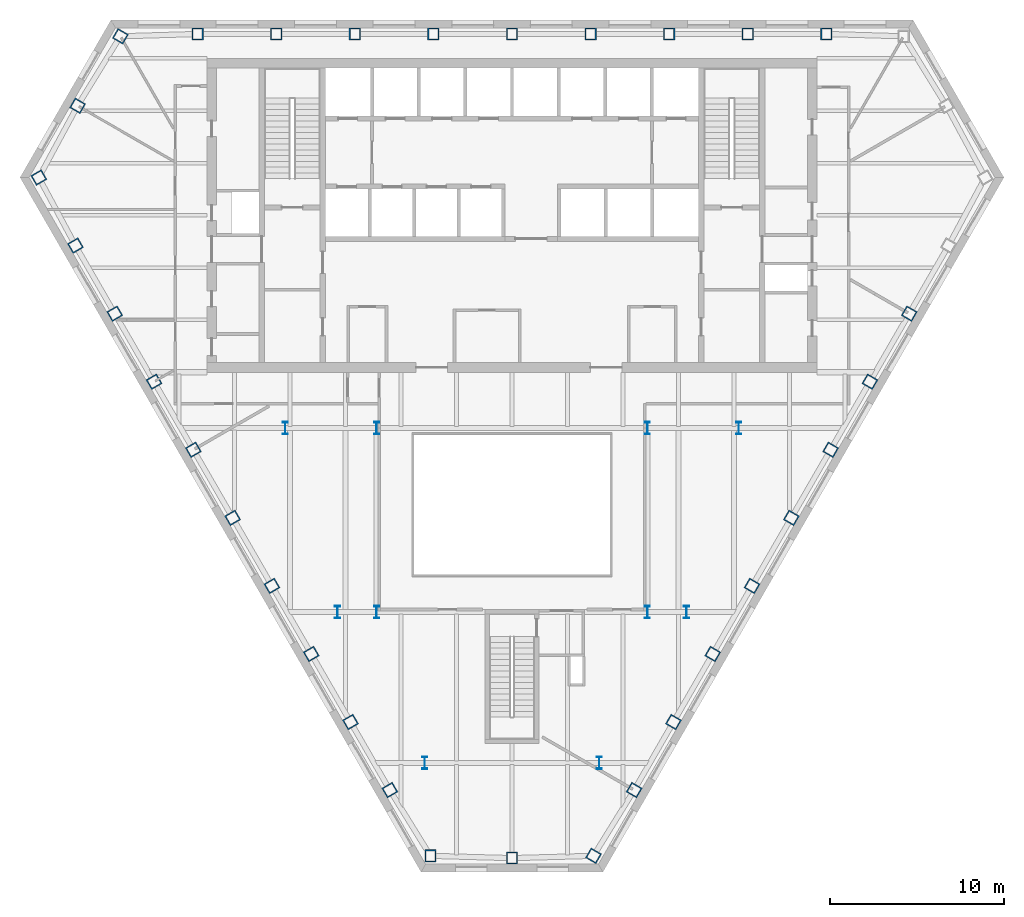
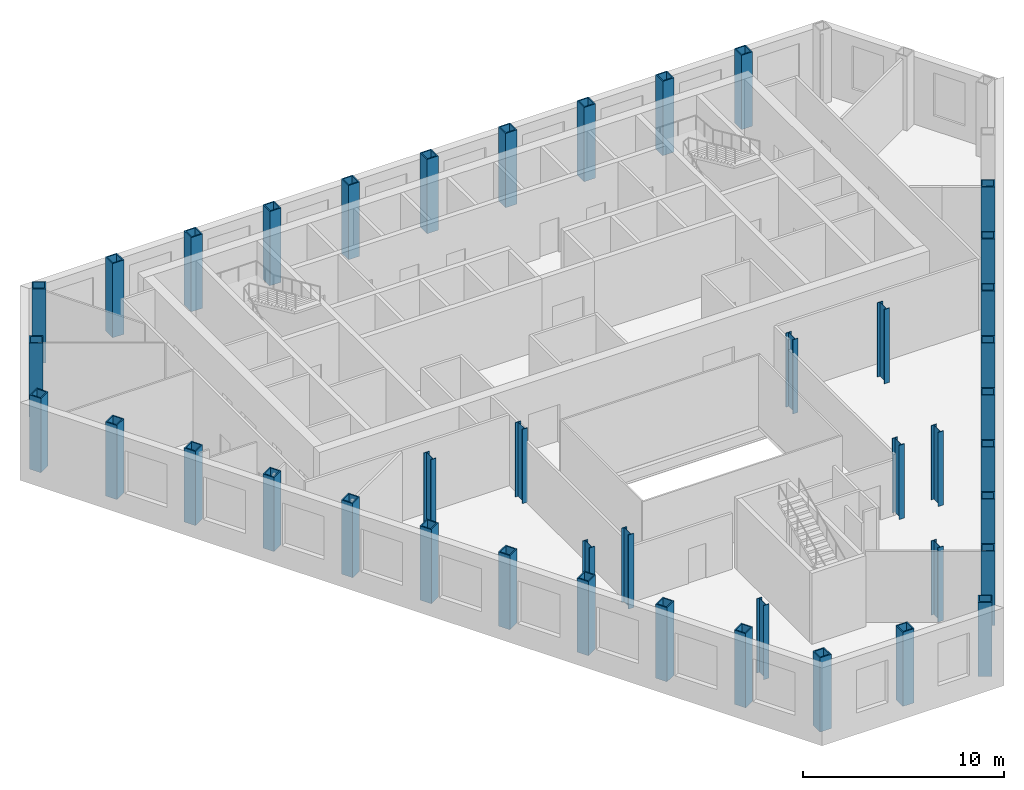
# One storey, part 1 of 11: 42 columns.
"""IFC4 building model written with IfcOpenShell, lengths in metres."""

from ifc_helpers import new_model, si_unit, direction, frame, origin, origin_2d, place, context, subcontext, project, spatial, hollow_rectangle, i_section, extrude, material, material_profile, profile_set, type_object, element, save


model = new_model("IFC4")

# Units and contexts
model_context = context("Model", 3, precision=1e-05, world=origin(), true_north=direction((0.0, 1.0)))
body_context = subcontext(model_context, "Body", "Model", "MODEL_VIEW")
ifc_project = project(units=[si_unit("LENGTHUNIT", "METRE"), si_unit("AREAUNIT", "SQUARE_METRE"), si_unit("VOLUMEUNIT", "CUBIC_METRE"), si_unit("PLANEANGLEUNIT", "RADIAN"), si_unit("MASSUNIT", "GRAM", prefix="KILO")], contexts=[model_context])

# Site, building, storey
site_placement = place(None, origin())
site = spatial("IfcSite", under=ifc_project, at=site_placement, CompositionType="ELEMENT")
building_placement = place(site_placement, origin())
building = spatial("IfcBuilding", under=site, at=building_placement, Name="Njiva Tower", CompositionType="ELEMENT")
storey_placement = place(building_placement, frame((0.0, 0.0, 93.3)))
storey = spatial("IfcBuildingStorey", under=building, at=storey_placement, Name="L19", CompositionType="ELEMENT", Elevation=93.3)

# Columns
ifc_material = material(Name="Steel S355 J2", Category="steel")
ifc_material_profile_1 = material_profile(ifc_material, hollow_rectangle(XDim=0.65, YDim=0.7, WallThickness=0.065, at=origin_2d()), Name="BOX 700x650x65")
ifc_profile_set_1 = profile_set([ifc_material_profile_1], Name="Steel S355 J2")
column_type_1 = type_object("IfcColumnType", Name="C7 Perimeter tube column BOX 700x650x65", PredefinedType="COLUMN", material=ifc_profile_set_1)
for number, where, z_axis, x_axis, name in (
    (1, (18.026, 19.4, 0.0), (0.0, 0.0, 1.0), (-1.0, 0.0, 0.0), "Perimeter tube column S06-C02"),
    (2, (13.52, 19.4, 0.0), (0.0, 0.0, 1.0), (-1.0, 0.0, 0.0), "Perimeter tube column S06-C03"),
    (3, (9.013, 19.4, 0.0), (0.0, 0.0, 1.0), (-1.0, 0.0, 0.0), "Perimeter tube column S06-C04"),
    (4, (4.507, 19.4, 0.0), (0.0, 0.0, 1.0), (-1.0, 0.0, 0.0), "Perimeter tube column S06-C05"),
    (5, (0.0, 19.4, 0.0), (0.0, 0.0, 1.0), (-1.0, 0.0, 0.0), "Perimeter tube column S06-C06"),
    (6, (-4.507, 19.4, 0.0), (0.0, 0.0, 1.0), (-1.0, 0.0, 0.0), "Perimeter tube column S06-C07"),
    (7, (-9.013, 19.4, 0.0), (0.0, 0.0, 1.0), (-1.0, 0.0, 0.0), "Perimeter tube column S06-C08"),
    (8, (-13.52, 19.4, 0.0), (0.0, 0.0, 1.0), (-1.0, 0.0, 0.0), "Perimeter tube column S06-C09"),
    (9, (-18.026, 19.4, 0.0), (0.0, 0.0, 1.0), (-1.0, 0.0, 0.0), "Perimeter tube column S06-C10"),
    (10, (-22.456, 19.267, 0.0), (0.0, 0.0, 1.0), (-0.5, -0.866025403784, 0.0), "Perimeter tube column S06-C11"),
    (11, (-24.91, 15.284, 0.0), (0.0, 0.0, 1.0), (-0.5, -0.866025403784, 0.0), "Perimeter tube column S06-C12"),
    (12, (-27.133, 11.167, 0.0), (0.0, 0.0, 1.0), (0.5, -0.866025403784, 0.0), "Perimeter tube column S06-C13"),
    (13, (-25.033, 7.265, 0.0), (0.0, 0.0, 1.0), (0.5, -0.866025403784, 0.0), "Perimeter tube column S06-C14"),
    (14, (-22.78, 3.362, 0.0), (0.0, 0.0, 1.0), (0.5, -0.866025403784, 0.0), "Perimeter tube column S06-C15"),
    (15, (-20.526, -0.541, 0.0), (0.0, 0.0, 1.0), (0.5, -0.866025403784, 0.0), "Perimeter tube column S06-C16"),
    (16, (-18.273, -4.444, 0.0), (0.0, 0.0, 1.0), (0.5, -0.866025403784, 0.0), "Perimeter tube column S06-C17"),
    (17, (-16.02, -8.347, 0.0), (0.0, 0.0, 1.0), (0.5, -0.866025403784, 0.0), "Perimeter tube column S06-C18"),
    (18, (-13.766, -12.25, 0.0), (0.0, 0.0, 1.0), (0.5, -0.866025403784, 0.0), "Perimeter tube column S06-C19"),
    (19, (-11.513, -16.153, 0.0), (0.0, 0.0, 1.0), (0.5, -0.866025403784, 0.0), "Perimeter tube column S06-C20"),
    (20, (-9.26, -20.055, 0.0), (0.0, 0.0, 1.0), (0.5, -0.866025403784, 0.0), "Perimeter tube column S06-C21"),
    (21, (-7.006, -23.958, 0.0), (0.0, 0.0, 1.0), (0.5, -0.866025403784, 0.0), "Perimeter tube column S06-C22"),
    (22, (-4.676, -27.728, 0.0), (0.0, 0.0, 1.0), (1.0, 0.0, 0.0), "Perimeter tube column S06-C23"),
    (23, (0.0, -27.861, 0.0), (0.0, 0.0, 1.0), (1.0, 0.0, 0.0), "Perimeter tube column S06-C24"),
    (24, (4.676, -27.728, 0.0), (0.0, 0.0, 1.0), (0.5, 0.866025403784, 0.0), "Perimeter tube column S06-C25"),
    (25, (7.006, -23.958, 0.0), (0.0, 0.0, 1.0), (0.5, 0.866025403784, 0.0), "Perimeter tube column S06-C26"),
    (26, (9.26, -20.055, 0.0), (0.0, 0.0, 1.0), (0.5, 0.866025403784, 0.0), "Perimeter tube column S06-C27"),
    (27, (11.513, -16.153, 0.0), (0.0, 0.0, 1.0), (0.5, 0.866025403784, 0.0), "Perimeter tube column S06-C28"),
    (28, (13.766, -12.25, 0.0), (0.0, 0.0, 1.0), (0.5, 0.866025403784, 0.0), "Perimeter tube column S06-C29"),
    (29, (16.02, -8.347, 0.0), (0.0, 0.0, 1.0), (0.5, 0.866025403784, 0.0), "Perimeter tube column S06-C30"),
    (30, (18.273, -4.444, 0.0), (0.0, 0.0, 1.0), (0.5, 0.866025403784, 0.0), "Perimeter tube column S06-C31"),
    (31, (20.526, -0.541, 0.0), (0.0, 0.0, 1.0), (0.5, 0.866025403784, 0.0), "Perimeter tube column S06-C32"),
    (32, (22.78, 3.362, 0.0), (0.0, 0.0, 1.0), (0.5, 0.866025403784, 0.0), "Perimeter tube column S06-C33"),
):
    element("IfcColumn", number, at=place(storey_placement, frame(where, z_axis=z_axis, x_axis=x_axis)), inside=storey, type_object=column_type_1, Name=name, PredefinedType="COLUMN", context=body_context, shape_type="SweptSolid", body=[
        extrude(hollow_rectangle(XDim=0.65, YDim=0.7, WallThickness=0.065, at=origin_2d()), origin(), (0.0, 0.0, 1.0), 4.5),
    ])
ifc_material_profile_2 = material_profile(ifc_material, i_section(OverallWidth=0.304, OverallDepth=0.716, WebThickness=0.021, FlangeThickness=0.04, at=origin_2d()), Name="HEM 700")
ifc_profile_set_2 = profile_set([ifc_material_profile_2], Name="Steel S355 J2")
column_type_2 = type_object("IfcColumnType", Name="C8 Interior column HEM 700", PredefinedType="COLUMN", material=ifc_profile_set_2)
for number, where, z_axis, x_axis, name in (
    (33, (7.76, -3.2, 0.0), (0.0, 0.0, 1.0), (1.0, 0.0, 0.0), "Interior column S06-C37"),
    (34, (-7.76, -3.2, 0.0), (0.0, 0.0, 1.0), (1.0, 0.0, 0.0), "Interior column S06-C38"),
    (35, (7.76, -13.75, 0.0), (0.0, 0.0, 1.0), (1.0, 0.0, 0.0), "Interior column S06-C39"),
    (36, (-7.76, -13.75, 0.0), (0.0, 0.0, 1.0), (1.0, 0.0, 0.0), "Interior column S06-C40"),
    (37, (5.0, -22.4, 0.0), (0.0, 0.0, 1.0), (1.0, 0.0, 0.0), "Interior column S06-C41"),
    (38, (-5.0, -22.4, 0.0), (0.0, 0.0, 1.0), (1.0, 0.0, 0.0), "Interior column S06-C42"),
    (39, (13.0, -3.2, 0.0), (0.0, 0.0, 1.0), (1.0, 0.0, 0.0), "Interior column S06-C43"),
    (40, (-13.0, -3.2, 0.0), (0.0, 0.0, 1.0), (1.0, 0.0, 0.0), "Interior column S06-C44"),
    (41, (10.0, -13.75, 0.0), (0.0, 0.0, 1.0), (1.0, 0.0, 0.0), "Interior column S06-C45"),
    (42, (-10.0, -13.75, 0.0), (0.0, 0.0, 1.0), (1.0, 0.0, 0.0), "Interior column S06-C46"),
):
    element("IfcColumn", number, at=place(storey_placement, frame(where, z_axis=z_axis, x_axis=x_axis)), inside=storey, type_object=column_type_2, Name=name, PredefinedType="COLUMN", context=body_context, shape_type="SweptSolid", body=[
        extrude(i_section(OverallWidth=0.304, OverallDepth=0.716, WebThickness=0.021, FlangeThickness=0.04, at=origin_2d()), origin(), (0.0, 0.0, 1.0), 4.5),
    ])

save(model, "model.ifc")
